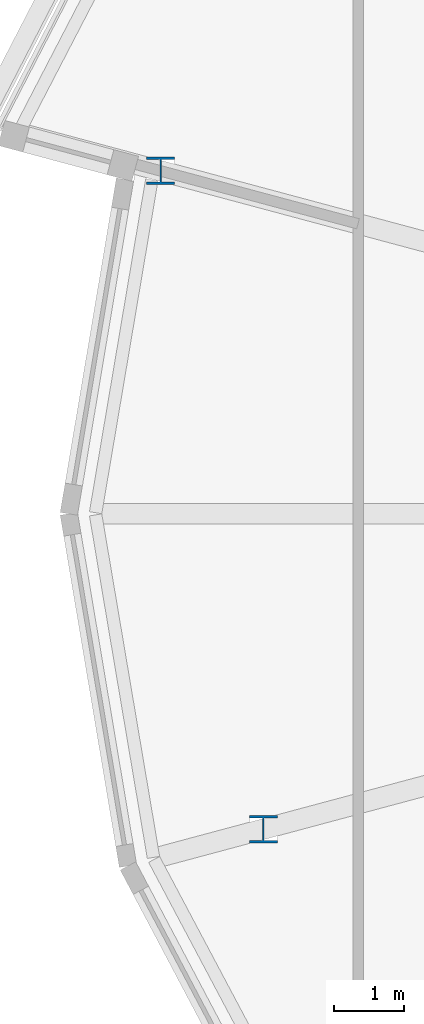
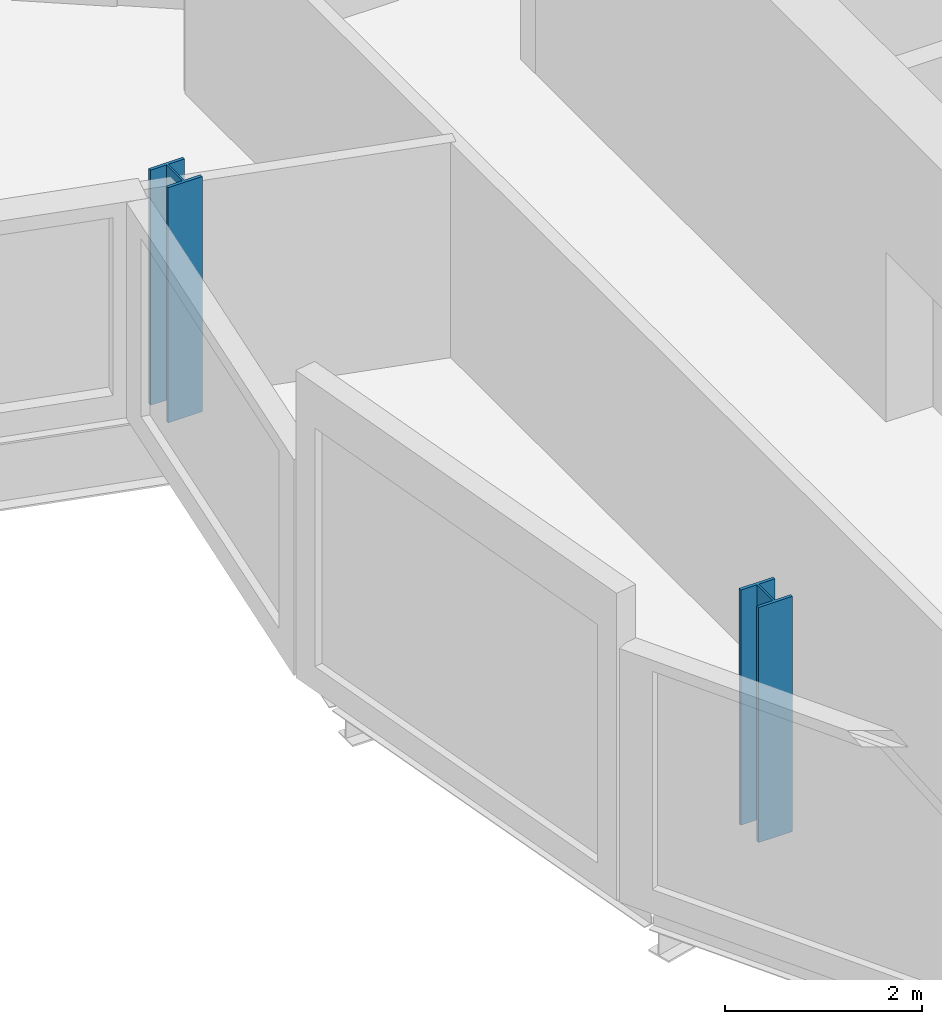
# One storey, part 1 of 36: 2 columns.
"""IFC4 building model written with IfcOpenShell, lengths in metres."""

from ifc_helpers import new_model, si_unit, direction, frame, origin, origin_2d, place, context, subcontext, project, spatial, i_section, extrude, material, material_profile, profile_set, type_object, element, save


model = new_model("IFC4")

# Units and contexts
model_context = context("Model", 3, precision=1e-05, world=origin(), true_north=direction((0.0, 1.0)))
body_context = subcontext(model_context, "Body", "Model", "MODEL_VIEW")
ifc_project = project(units=[si_unit("LENGTHUNIT", "METRE"), si_unit("AREAUNIT", "SQUARE_METRE"), si_unit("VOLUMEUNIT", "CUBIC_METRE"), si_unit("PLANEANGLEUNIT", "RADIAN"), si_unit("MASSUNIT", "GRAM", prefix="KILO")], contexts=[model_context])

# Site, building, storey
site_placement = place(None, origin())
site = spatial("IfcSite", under=ifc_project, at=site_placement, CompositionType="ELEMENT")
building_placement = place(site_placement, origin())
building = spatial("IfcBuilding", under=site, at=building_placement, Name="Rimbun Link Towers", CompositionType="ELEMENT")
storey_placement = place(building_placement, frame((0.0, 0.0, 200.699951171875)))
storey = spatial("IfcBuildingStorey", under=building, at=storey_placement, Name="L49", CompositionType="ELEMENT", Elevation=200.699951171875)

# Columns
ifc_material = material(Name="Steel S355J2", Category="steel")
ifc_material_profile = material_profile(ifc_material, i_section(OverallWidth=0.39892578125, OverallDepth=0.3935546875, WebThickness=0.022705078125, FlangeThickness=0.03662109375, at=origin_2d()), Name="UC 356x406x287")
ifc_profile_set = profile_set([ifc_material_profile], Name="Steel S355J2")
column_type = type_object("IfcColumnType", Name="UC 356x406x287", PredefinedType="COLUMN", material=ifc_profile_set)
for number, where, z_axis, x_axis, name in (
    (1, (-50.048095703125, 4.903076171875, -0.14990234375), (0.0, 0.0, 1.0), (1.0, 0.0, 0.0), "Crease post T1 L49 11"),
    (2, (-48.578125, -4.509033203125, -0.14990234375), (0.0, 0.0, 1.0), (1.0, 0.0, 0.0), "Crease post T1 L49 13"),
):
    element("IfcColumn", number, at=place(storey_placement, frame(where, z_axis=z_axis, x_axis=x_axis)), inside=storey, type_object=column_type, Name=name, PredefinedType="COLUMN", context=body_context, shape_type="SweptSolid", body=[
        extrude(i_section(OverallWidth=0.39892578125, OverallDepth=0.3935546875, WebThickness=0.022705078125, FlangeThickness=0.03662109375, at=origin_2d()), origin(), (0.0, 0.0, 1.0), 2.9091796875),
    ])

save(model, "model.ifc")
